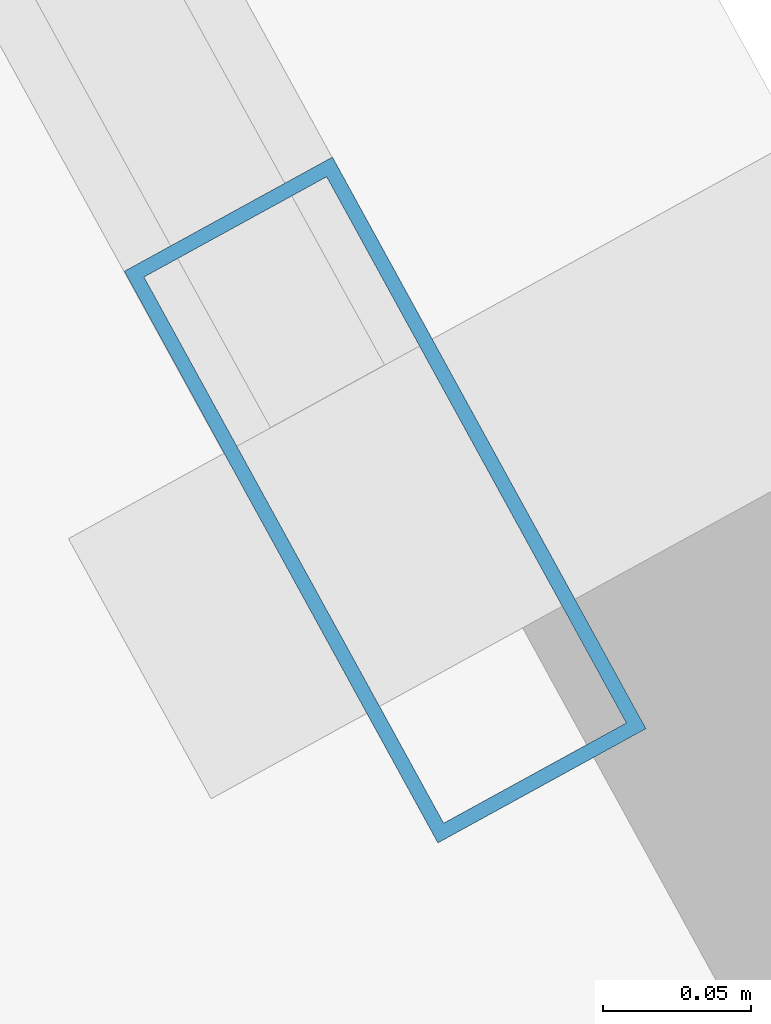
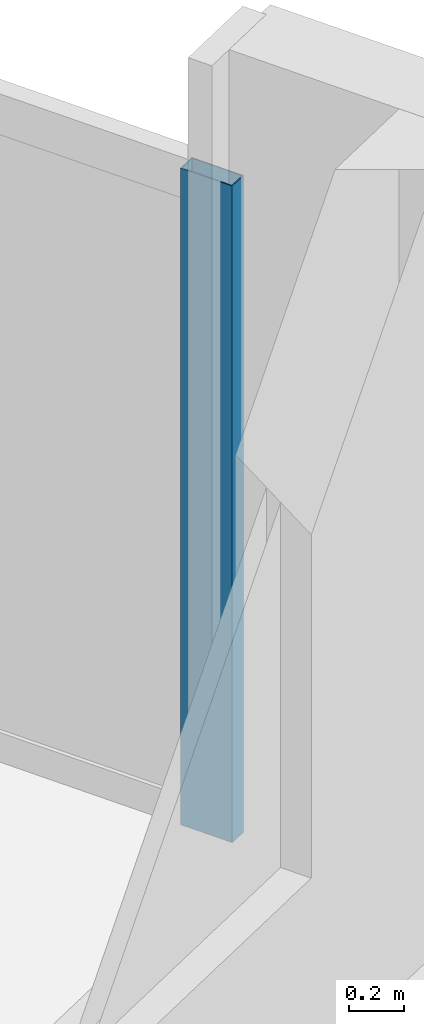
# One storey, part 22 of 33: 1 member, 1 element without a shape of its own.
"""IFC4 building model written with IfcOpenShell, lengths in metres."""

from ifc_helpers import new_model, si_unit, direction, frame, origin, origin_2d, place, context, subcontext, project, spatial, hollow_rectangle, extrude, material, material_profile, profile_set, type_object, element, aggregate, save


model = new_model("IFC4")

# Units and contexts
model_context = context("Model", 3, precision=1e-05, world=origin(), true_north=direction((0.0, 1.0)))
body_context = subcontext(model_context, "Body", "Model", "MODEL_VIEW")
ifc_project = project(units=[si_unit("LENGTHUNIT", "METRE"), si_unit("AREAUNIT", "SQUARE_METRE"), si_unit("VOLUMEUNIT", "CUBIC_METRE"), si_unit("PLANEANGLEUNIT", "RADIAN"), si_unit("MASSUNIT", "GRAM", prefix="KILO")], contexts=[model_context])

# Site, building, storey
site_placement = place(None, origin())
site = spatial("IfcSite", under=ifc_project, at=site_placement, CompositionType="ELEMENT")
building_placement = place(site_placement, origin())
building = spatial("IfcBuilding", under=site, at=building_placement, Name="Haldenkirk Collegiate Tower", CompositionType="ELEMENT")
storey_placement = place(building_placement, frame((0.0, 0.0, 124.199951171875)))
storey = spatial("IfcBuildingStorey", under=building, at=storey_placement, Name="L30", CompositionType="ELEMENT", Elevation=124.199951171875)

# Curtain wall, member
ifc_material = material(Name="Anodised architectural bronze aluminium", Category="aluminium")
curtain_wall_type = type_object("IfcCurtainWallType", Name="CW-SYS1-CONVEX-LOW", PredefinedType="USERDEFINED", material=ifc_material)
curtain_wall_placement = place(storey_placement, origin())
curtain_wall = element("IfcCurtainWall", 1, at=curtain_wall_placement, inside=storey, type_object=curtain_wall_type, Name="L30 Lower tower convex bronze-framed unitised curtain wall", ObjectType="UNITISED CURTAIN WALL", PredefinedType="USERDEFINED")
ifc_material_profile = material_profile(ifc_material, hollow_rectangle(XDim=0.080078125, YDim=0.219970703125, WallThickness=0.0048828125, at=origin_2d()), Name="CW-MUL-1A")
ifc_profile_set = profile_set([ifc_material_profile], Name="Anodised architectural bronze aluminium")
member_type = type_object("IfcMemberType", Name="CW-MUL-1A", PredefinedType="MULLION", material=ifc_profile_set)
member_placement = place(storey_placement, frame((67.69384765625, 21.391357421875, 0.0), z_axis=(0.0, 0.0, 1.0), x_axis=(0.876726263845, 0.480989665465, 0.0)))
member = element("IfcMember", 2, at=member_placement, type_object=member_type, Name="CW-1A mullion 5", PredefinedType="MULLION", context=body_context, shape_type="SweptSolid", body=[
    extrude(hollow_rectangle(XDim=0.080078125, YDim=0.219970703125, WallThickness=0.0048828125, at=origin_2d()), origin(), (0.0, 0.0, 1.0), 2.901123046875),
])
aggregate(curtain_wall, [member])

save(model, "model.ifc")
